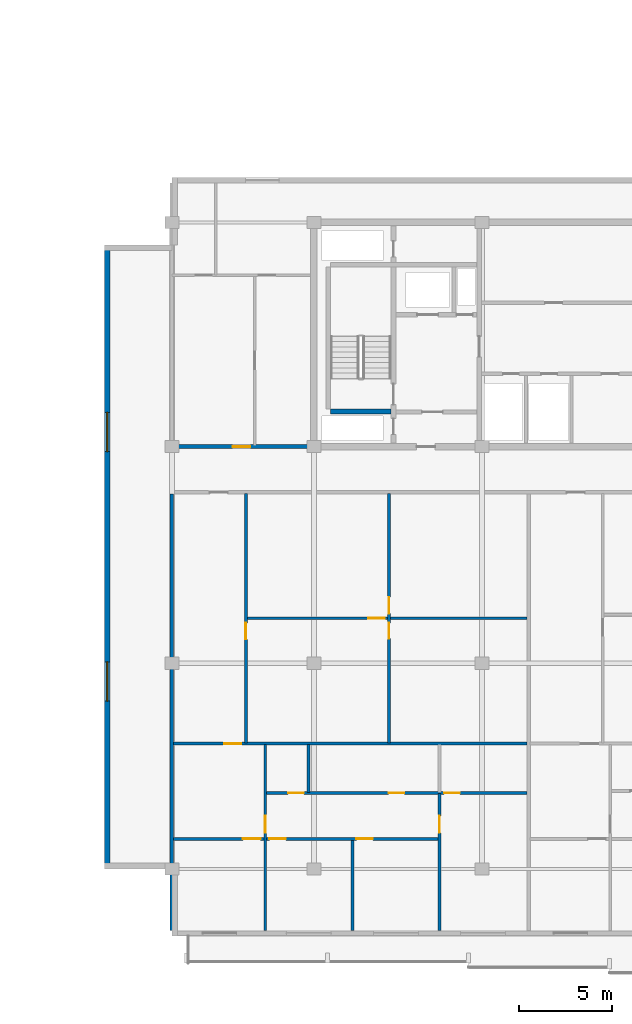
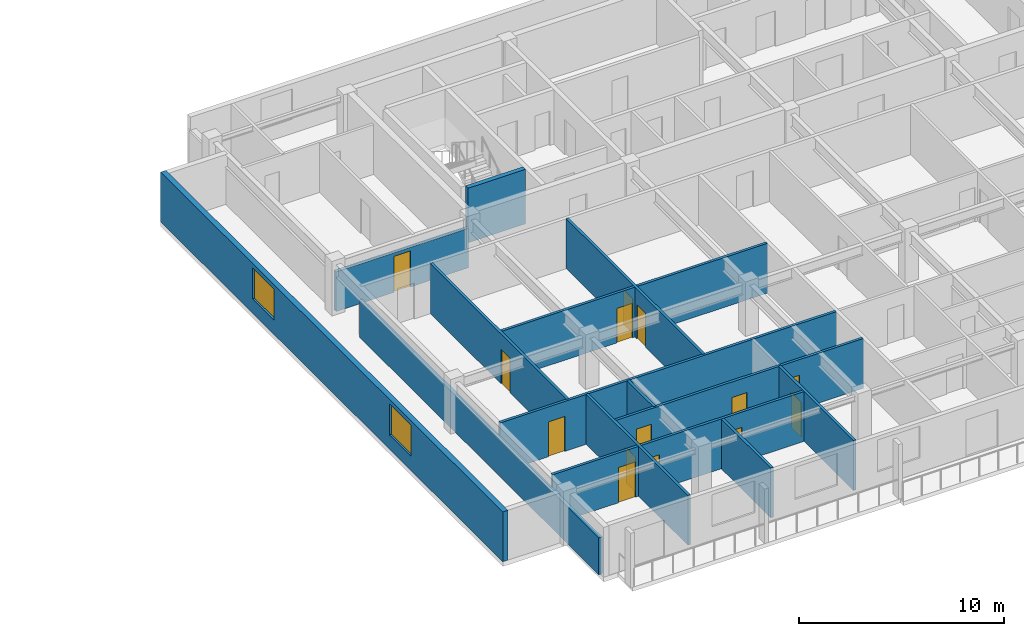
# One storey, part 4 of 23: 14 doors, 14 walls, 2 windows, 16 openings.
"""IFC4 building model written with IfcOpenShell, lengths in metres."""

from ifc_helpers import new_model, si_unit, direction, frame, frame_2d, origin, place, context, subcontext, project, spatial, rectangle, extrude, material, layer, layer_set, type_object, element, fill, save


model = new_model("IFC4")

# Units and contexts
model_context = context("Model", 3, precision=1e-05, world=origin(), true_north=direction((0.0, 1.0)))
body_context = subcontext(model_context, "Body", "Model", "MODEL_VIEW")
ifc_project = project(units=[si_unit("LENGTHUNIT", "METRE"), si_unit("AREAUNIT", "SQUARE_METRE"), si_unit("VOLUMEUNIT", "CUBIC_METRE"), si_unit("PLANEANGLEUNIT", "RADIAN"), si_unit("MASSUNIT", "GRAM", prefix="KILO")], contexts=[model_context])

# Site, building, storey
site_placement = place(None, origin())
site = spatial("IfcSite", under=ifc_project, at=site_placement, CompositionType="ELEMENT")
building_placement = place(site_placement, origin())
building = spatial("IfcBuilding", under=site, at=building_placement, Name="Korimba Cascade Residences", CompositionType="ELEMENT")
storey_placement = place(building_placement, frame((0.0, 0.0, 165.35009765625)))
storey = spatial("IfcBuildingStorey", under=building, at=storey_placement, Name="L47", CompositionType="ELEMENT", Elevation=165.35009765625)

# Wall, openings, windows
ifc_material_1 = material(Name="Precast concrete C40/50", Category="concrete")
ifc_layer_1 = layer(ifc_material_1, 0.300048828125)
ifc_layer_set_1 = layer_set([ifc_layer_1], Name="Precast concrete C40/50")
wall_type_1 = type_object("IfcWallType", Name="EW-STONE-300", PredefinedType="STANDARD", material=ifc_layer_set_1)
wall_1_placement = place(storey_placement, frame((71.050048828125, 29.199951171875, 0.0), z_axis=(0.0, 0.0, 1.0), x_axis=(0.0, -1.0, 0.0)))
wall_1 = element("IfcWall", 1, at=wall_1_placement, inside=storey, type_object=wall_type_1, Name="L47 T2 Perimeter Stone Wall E09", PredefinedType="STANDARD", context=body_context, shape_type="SweptSolid", body=[
    extrude(rectangle(XDim=33.39990234375, YDim=0.300048828125, at=frame_2d((16.699951171875, 0.0))), origin(), (0.0, 0.0, 1.0), 2.969970703125),
])
opening_1_placement = place(wall_1_placement, frame((8.969970703125, 0.0, 0.85009765625)))
opening_1 = element("IfcOpeningElement", 2, at=opening_1_placement, cuts=wall_1, Name="Opening W-03", PredefinedType="OPENING", context=body_context, shape_type="SweptSolid", body=[
    extrude(rectangle(XDim=2.10009765625, YDim=1.85009765625, at=frame_2d((1.050048828125, 0.925048828125))), frame((0.0, 0.16015625, 0.0), z_axis=(0.0, -1.0, 0.0), x_axis=(1.0, 0.0, 0.0)), (0.0, 0.0, 1.0), 0.320068359375),
])
opening_2_placement = place(wall_1_placement, frame((22.330078125, 0.0, 0.85009765625)))
opening_2 = element("IfcOpeningElement", 3, at=opening_2_placement, cuts=wall_1, Name="Opening W-03", PredefinedType="OPENING", context=body_context, shape_type="SweptSolid", body=[
    extrude(rectangle(XDim=2.10009765625, YDim=1.85009765625, at=frame_2d((1.050048828125, 0.925048828125))), frame((0.0, 0.16015625, 0.0), z_axis=(0.0, -1.0, 0.0), x_axis=(1.0, 0.0, 0.0)), (0.0, 0.0, 1.0), 0.320068359375),
])
ifc_material_2 = material(Name="Double-Glazed Aluminium Window", Category="aluminium")
window_type = type_object("IfcWindowType", Name="WIN-CRN-2100", PartitioningType="DOUBLE_PANEL_HORIZONTAL", PredefinedType="WINDOW", material=ifc_material_2)
window_1_placement = place(opening_1_placement, origin())
window_1 = element("IfcWindow", 4, at=window_1_placement, inside=storey, type_object=window_type, Name="L47 T2 End View Window 9.1", OverallHeight=1.85009765625, OverallWidth=2.10009765625, PartitioningType="DOUBLE_PANEL_HORIZONTAL", PredefinedType="WINDOW", context=body_context, shape_type="SweptSolid", body=[
    extrude(rectangle(XDim=2.10009765625, YDim=1.85009765625, at=frame_2d((1.050048828125, 0.925048828125))), frame((0.0, 0.030029296875, 0.0), z_axis=(0.0, -1.0, 0.0), x_axis=(1.0, 0.0, 0.0)), (0.0, 0.0, 1.0), 0.06005859375),
])
fill(opening_1, window_1)
window_2_placement = place(opening_2_placement, origin())
window_2 = element("IfcWindow", 5, at=window_2_placement, inside=storey, type_object=window_type, Name="L47 T2 End View Window 9.2", OverallHeight=1.85009765625, OverallWidth=2.10009765625, PartitioningType="DOUBLE_PANEL_HORIZONTAL", PredefinedType="WINDOW", context=body_context, shape_type="SweptSolid", body=[
    extrude(rectangle(XDim=2.10009765625, YDim=1.85009765625, at=frame_2d((1.050048828125, 0.925048828125))), frame((0.0, 0.030029296875, 0.0), z_axis=(0.0, -1.0, 0.0), x_axis=(1.0, 0.0, 0.0)), (0.0, 0.0, 1.0), 0.06005859375),
])
fill(opening_2, window_2)

# Wall, opening, door
ifc_layer_2 = layer(ifc_material_1, 0.199951171875)
ifc_layer_set_2 = layer_set([ifc_layer_2], Name="Precast concrete C40/50")
wall_type_2 = type_object("IfcWallType", Name="WAL-IT-200", PredefinedType="PARTITIONING", material=ifc_layer_set_2)
wall_2_placement = place(storey_placement, frame((74.5, 18.39990234375, 0.0), z_axis=(0.0, 0.0, 1.0), x_axis=(1.0, 0.0, 0.0)))
wall_2 = element("IfcWall", 6, at=wall_2_placement, inside=storey, type_object=wall_type_2, Name="L47 Partition Wall WAL-L47-T2-FW-S", PredefinedType="PARTITIONING", context=body_context, shape_type="SweptSolid", body=[
    extrude(rectangle(XDim=7.449951171875, YDim=0.199951171875, at=frame_2d((3.72509765625, 0.0))), origin(), (0.0, 0.0, 1.0), 2.357666015625),
])
opening_3_placement = place(wall_2_placement, frame((3.25, 0.0, 0.0)))
opening_3 = element("IfcOpeningElement", 7, at=opening_3_placement, cuts=wall_2, Name="Opening D-UN1", PredefinedType="OPENING", context=body_context, shape_type="SweptSolid", body=[
    extrude(rectangle(XDim=0.949951171875, YDim=2.14990234375, at=frame_2d((0.47509765625, 1.074951171875))), frame((0.0, 0.10986328125, 0.0), z_axis=(0.0, -1.0, 0.0), x_axis=(1.0, 0.0, 0.0)), (0.0, 0.0, 1.0), 0.219970703125),
])
ifc_material_3 = material(Name="Fire-Rated Hardwood Apartment Entrance Door", Category="wood")
door_type_1 = type_object("IfcDoorType", Name="DR-FD60-950", OperationType="NOTDEFINED", PredefinedType="DOOR", material=ifc_material_3)
door_1_placement = place(opening_3_placement, origin())
door_1 = element("IfcDoor", 8, at=door_1_placement, inside=storey, type_object=door_type_1, Name="L47-T2-FW Entrance Door", OperationType="SINGLE_SWING_LEFT", OverallHeight=2.14990234375, OverallWidth=0.949951171875, PredefinedType="DOOR", context=body_context, shape_type="SweptSolid", body=[
    extrude(rectangle(XDim=0.949951171875, YDim=2.14990234375, at=frame_2d((0.47509765625, 1.074951171875))), frame((0.0, 0.02490234375, 0.0), z_axis=(0.0, -1.0, 0.0), x_axis=(1.0, 0.0, 0.0)), (0.0, 0.0, 1.0), 0.050048828125),
])
fill(opening_3, door_1)

# Wall
wall_3_placement = place(storey_placement, frame((74.5, -7.5, 0.0), z_axis=(0.0, 0.0, 1.0), x_axis=(0.0, 1.0, 0.0)))
element("IfcWall", 9, at=wall_3_placement, inside=storey, type_object=wall_type_2, Name="L47 Partition Wall WAL-L47-T2-BNDWL", PredefinedType="PARTITIONING", context=body_context, shape_type="SweptSolid", body=[
    extrude(rectangle(XDim=23.3701171875, YDim=0.199951171875, at=frame_2d((11.68505859375, 0.0))), origin(), (0.0, 0.0, 1.0), 2.2001953125),
])

# Wall, openings, doors
ifc_material_4 = material(Name="Insulated Acoustic Stud Partition", Category="gypsum")
ifc_layer_3 = layer(ifc_material_4, 0.14990234375)
ifc_layer_set_3 = layer_set([ifc_layer_3], Name="Insulated Acoustic Stud Partition")
wall_type_3 = type_object("IfcWallType", Name="WAL-PART-150", PredefinedType="PARTITIONING", material=ifc_layer_set_3)
wall_4_placement = place(storey_placement, frame((86.12451171875, 2.5400390625, 0.0), z_axis=(0.0, 0.0, 1.0), x_axis=(0.0, 1.0, 0.0)))
wall_4 = element("IfcWall", 10, at=wall_4_placement, inside=storey, type_object=wall_type_3, Name="L47 Partition Wall WAL-L47-T2-U01-FMV", PredefinedType="PARTITIONING", context=body_context, shape_type="SweptSolid", body=[
    extrude(rectangle(XDim=13.349853515625, YDim=0.14990234375, at=frame_2d((6.6748046875, 0.0))), origin(), (0.0, 0.0, 1.0), 2.969970703125),
])
opening_4_placement = place(wall_4_placement, frame((5.5849609375, 0.0, 0.0)))
opening_4 = element("IfcOpeningElement", 11, at=opening_4_placement, cuts=wall_4, Name="Opening D-BT1", PredefinedType="OPENING", context=body_context, shape_type="SweptSolid", body=[
    extrude(rectangle(XDim=0.840087890625, YDim=2.0400390625, at=frame_2d((0.419921875, 1.02001953125))), frame((0.0, 0.0849609375, 0.0), z_axis=(0.0, -1.0, 0.0), x_axis=(1.0, 0.0, 0.0)), (0.0, 0.0, 1.0), 0.169921875),
])
opening_5_placement = place(wall_4_placement, frame((6.925048828125, 0.0, 0.0)))
opening_5 = element("IfcOpeningElement", 12, at=opening_5_placement, cuts=wall_4, Name="Opening D-IN2", PredefinedType="OPENING", context=body_context, shape_type="SweptSolid", body=[
    extrude(rectangle(XDim=0.8798828125, YDim=2.06005859375, at=frame_2d((0.43994140625, 1.030029296875))), frame((0.0, 0.0849609375, 0.0), z_axis=(0.0, -1.0, 0.0), x_axis=(1.0, 0.0, 0.0)), (0.0, 0.0, 1.0), 0.169921875),
])
ifc_material_5 = material(Name="Moisture-Resistant Bathroom Timber Door", Category="wood")
door_type_2 = type_object("IfcDoorType", Name="DR-INT-850", OperationType="NOTDEFINED", PredefinedType="DOOR", material=ifc_material_5)
door_2_placement = place(opening_4_placement, origin())
door_2 = element("IfcDoor", 13, at=door_2_placement, inside=storey, type_object=door_type_2, Name="L47-T2-U01 Wardrobe Door", OperationType="SINGLE_SWING_RIGHT", OverallHeight=2.0400390625, OverallWidth=0.840087890625, PredefinedType="DOOR", context=body_context, shape_type="SweptSolid", body=[
    extrude(rectangle(XDim=0.840087890625, YDim=2.0400390625, at=frame_2d((0.419921875, 1.02001953125))), frame((0.0, 0.02490234375, 0.0), z_axis=(0.0, -1.0, 0.0), x_axis=(1.0, 0.0, 0.0)), (0.0, 0.0, 1.0), 0.050048828125),
])
fill(opening_4, door_2)
ifc_material_6 = material(Name="Acoustic Timber Bedroom Door", Category="wood")
door_type_3 = type_object("IfcDoorType", Name="DR-INT-880", OperationType="NOTDEFINED", PredefinedType="DOOR", material=ifc_material_6)
door_3_placement = place(opening_5_placement, origin())
door_3 = element("IfcDoor", 14, at=door_3_placement, inside=storey, type_object=door_type_3, Name="L47-T2-U01 Music Lounge Door", OperationType="SINGLE_SWING_LEFT", OverallHeight=2.06005859375, OverallWidth=0.8798828125, PredefinedType="DOOR", context=body_context, shape_type="SweptSolid", body=[
    extrude(rectangle(XDim=0.8798828125, YDim=2.06005859375, at=frame_2d((0.43994140625, 1.030029296875))), frame((0.0, 0.02490234375, 0.0), z_axis=(0.0, -1.0, 0.0), x_axis=(1.0, 0.0, 0.0)), (0.0, 0.0, 1.0), 0.050048828125),
])
fill(opening_5, door_3)

# Wall, opening, door
wall_5_placement = place(storey_placement, frame((78.530029296875, 9.215087890625, 0.0), z_axis=(0.0, 0.0, 1.0), x_axis=(1.0, 0.0, 0.0)))
wall_5 = element("IfcWall", 15, at=wall_5_placement, inside=storey, type_object=wall_type_3, Name="L47 Partition Wall WAL-L47-T2-U01-FMH", PredefinedType="PARTITIONING", context=body_context, shape_type="SweptSolid", body=[
    extrude(rectangle(XDim=14.9892578125, YDim=0.14990234375, at=frame_2d((7.49462890625, 0.0))), origin(), (0.0, 0.0, 1.0), 2.969970703125),
])
opening_6_placement = place(wall_5_placement, frame((6.49462890625, 0.0, 0.0)))
opening_6 = element("IfcOpeningElement", 16, at=opening_6_placement, cuts=wall_5, Name="Opening D-IN2", PredefinedType="OPENING", context=body_context, shape_type="SweptSolid", body=[
    extrude(rectangle(XDim=0.8798828125, YDim=2.06005859375, at=frame_2d((0.43994140625, 1.030029296875))), frame((0.0, 0.0849609375, 0.0), z_axis=(0.0, -1.0, 0.0), x_axis=(1.0, 0.0, 0.0)), (0.0, 0.0, 1.0), 0.169921875),
])
door_4_placement = place(opening_6_placement, origin())
door_4 = element("IfcDoor", 17, at=door_4_placement, inside=storey, type_object=door_type_3, Name="L47-T2-U01 Library Salon Door", OperationType="SINGLE_SWING_RIGHT", OverallHeight=2.06005859375, OverallWidth=0.8798828125, PredefinedType="DOOR", context=body_context, shape_type="SweptSolid", body=[
    extrude(rectangle(XDim=0.8798828125, YDim=2.06005859375, at=frame_2d((0.43994140625, 1.030029296875))), frame((0.0, 0.02490234375, 0.0), z_axis=(0.0, -1.0, 0.0), x_axis=(1.0, 0.0, 0.0)), (0.0, 0.0, 1.0), 0.050048828125),
])
fill(opening_6, door_4)

wall_6_placement = place(storey_placement, frame((78.469970703125, 2.5400390625, 0.0), z_axis=(0.0, 0.0, 1.0), x_axis=(0.0, 1.0, 0.0)))
wall_6 = element("IfcWall", 18, at=wall_6_placement, inside=storey, type_object=wall_type_3, Name="L47 Partition Wall WAL-L47-T2-U01-FV", PredefinedType="PARTITIONING", context=body_context, shape_type="SweptSolid", body=[
    extrude(rectangle(XDim=13.349853515625, YDim=0.14990234375, at=frame_2d((6.6748046875, 0.0))), origin(), (0.0, 0.0, 1.0), 2.969970703125),
])
opening_7_placement = place(wall_6_placement, frame((5.544921875, 0.0, 0.0)))
opening_7 = element("IfcOpeningElement", 19, at=opening_7_placement, cuts=wall_6, Name="Opening D-IN2", PredefinedType="OPENING", context=body_context, shape_type="SweptSolid", body=[
    extrude(rectangle(XDim=0.8798828125, YDim=2.06005859375, at=frame_2d((0.43994140625, 1.030029296875))), frame((0.0, 0.0849609375, 0.0), z_axis=(0.0, -1.0, 0.0), x_axis=(1.0, 0.0, 0.0)), (0.0, 0.0, 1.0), 0.169921875),
])
door_5_placement = place(opening_7_placement, origin())
door_5 = element("IfcDoor", 20, at=door_5_placement, inside=storey, type_object=door_type_3, Name="L47-T2-U01 Media Lounge Door", OperationType="SINGLE_SWING_LEFT", OverallHeight=2.06005859375, OverallWidth=0.8798828125, PredefinedType="DOOR", context=body_context, shape_type="SweptSolid", body=[
    extrude(rectangle(XDim=0.8798828125, YDim=2.06005859375, at=frame_2d((0.43994140625, 1.030029296875))), frame((0.0, 0.02490234375, 0.0), z_axis=(0.0, -1.0, 0.0), x_axis=(1.0, 0.0, 0.0)), (0.0, 0.0, 1.0), 0.050048828125),
])
fill(opening_7, door_5)

# Walls
wall_7_placement = place(storey_placement, frame((81.81005859375, -0.1201171875, 0.0), z_axis=(0.0, 0.0, 1.0), x_axis=(0.0, 1.0, 0.0)))
element("IfcWall", 21, at=wall_7_placement, inside=storey, type_object=wall_type_3, Name="L47 Partition Wall WAL-L47-T2-U01-VDRS", PredefinedType="PARTITIONING", context=body_context, shape_type="SweptSolid", body=[
    extrude(rectangle(XDim=2.580078125, YDim=0.14990234375, at=frame_2d((1.2900390625, 0.0))), origin(), (0.0, 0.0, 1.0), 2.969970703125),
])
wall_8_placement = place(storey_placement, frame((84.16455078125, -7.5, 0.0), z_axis=(0.0, 0.0, 1.0), x_axis=(0.0, 1.0, 0.0)))
element("IfcWall", 22, at=wall_8_placement, inside=storey, type_object=wall_type_3, Name="L47 Partition Wall WAL-L47-T2-U01-VB3", PredefinedType="PARTITIONING", context=body_context, shape_type="SweptSolid", body=[
    extrude(rectangle(XDim=4.820068359375, YDim=0.14990234375, at=frame_2d((2.41015625, 0.0))), origin(), (0.0, 0.0, 1.0), 2.969970703125),
])

# Wall, opening, door
wall_9_placement = place(storey_placement, frame((79.5, -7.5, 0.0), z_axis=(0.0, 0.0, 1.0), x_axis=(0.0, 1.0, 0.0)))
wall_9 = element("IfcWall", 23, at=wall_9_placement, inside=storey, type_object=wall_type_3, Name="L47 Partition Wall WAL-L47-T2-U01-V1", PredefinedType="PARTITIONING", context=body_context, shape_type="SweptSolid", body=[
    extrude(rectangle(XDim=9.9599609375, YDim=0.14990234375, at=frame_2d((4.97998046875, 0.0))), origin(), (0.0, 0.0, 1.0), 2.969970703125),
])
opening_8_placement = place(wall_9_placement, frame((5.219970703125, 0.0, 0.0)))
opening_8 = element("IfcOpeningElement", 24, at=opening_8_placement, cuts=wall_9, Name="Opening D-IN1", PredefinedType="OPENING", context=body_context, shape_type="SweptSolid", body=[
    extrude(rectangle(XDim=0.919921875, YDim=2.080078125, at=frame_2d((0.4599609375, 1.0400390625))), frame((0.0, 0.0849609375, 0.0), z_axis=(0.0, -1.0, 0.0), x_axis=(1.0, 0.0, 0.0)), (0.0, 0.0, 1.0), 0.169921875),
])
ifc_material_7 = material(Name="Acoustic Timber Living Door", Category="wood")
door_type_4 = type_object("IfcDoorType", Name="DR-INT-920", OperationType="NOTDEFINED", PredefinedType="DOOR", material=ifc_material_7)
door_6_placement = place(opening_8_placement, origin())
door_6 = element("IfcDoor", 25, at=door_6_placement, inside=storey, type_object=door_type_4, Name="L47-T2-U01 Hallway Door", OperationType="SINGLE_SWING_RIGHT", OverallHeight=2.080078125, OverallWidth=0.919921875, PredefinedType="DOOR", context=body_context, shape_type="SweptSolid", body=[
    extrude(rectangle(XDim=0.919921875, YDim=2.080078125, at=frame_2d((0.4599609375, 1.0400390625))), frame((0.0, 0.02490234375, 0.0), z_axis=(0.0, -1.0, 0.0), x_axis=(1.0, 0.0, 0.0)), (0.0, 0.0, 1.0), 0.050048828125),
])
fill(opening_8, door_6)

wall_10_placement = place(storey_placement, frame((88.8291015625, -7.5, 0.0), z_axis=(0.0, 0.0, 1.0), x_axis=(0.0, 1.0, 0.0)))
wall_10 = element("IfcWall", 26, at=wall_10_placement, inside=storey, type_object=wall_type_3, Name="L47 Partition Wall WAL-L47-T2-U01-V2FULL", PredefinedType="PARTITIONING", context=body_context, shape_type="SweptSolid", body=[
    extrude(rectangle(XDim=7.340087890625, YDim=0.14990234375, at=frame_2d((3.669921875, 0.0))), origin(), (0.0, 0.0, 1.0), 2.969970703125),
])
opening_9_placement = place(wall_10_placement, frame((5.219970703125, 0.0, 0.0)))
opening_9 = element("IfcOpeningElement", 27, at=opening_9_placement, cuts=wall_10, Name="Opening D-IN1", PredefinedType="OPENING", context=body_context, shape_type="SweptSolid", body=[
    extrude(rectangle(XDim=0.919921875, YDim=2.080078125, at=frame_2d((0.4599609375, 1.0400390625))), frame((0.0, 0.0849609375, 0.0), z_axis=(0.0, -1.0, 0.0), x_axis=(1.0, 0.0, 0.0)), (0.0, 0.0, 1.0), 0.169921875),
])
door_7_placement = place(opening_9_placement, origin())
door_7 = element("IfcDoor", 28, at=door_7_placement, inside=storey, type_object=door_type_4, Name="L47-T2-U01 Master Bedroom Door", OperationType="SINGLE_SWING_LEFT", OverallHeight=2.080078125, OverallWidth=0.919921875, PredefinedType="DOOR", context=body_context, shape_type="SweptSolid", body=[
    extrude(rectangle(XDim=0.919921875, YDim=2.080078125, at=frame_2d((0.4599609375, 1.0400390625))), frame((0.0, 0.02490234375, 0.0), z_axis=(0.0, -1.0, 0.0), x_axis=(1.0, 0.0, 0.0)), (0.0, 0.0, 1.0), 0.050048828125),
])
fill(opening_9, door_7)

# Wall, openings, doors
wall_11_placement = place(storey_placement, frame((79.5400390625, -0.139892578125, 0.0), z_axis=(0.0, 0.0, 1.0), x_axis=(1.0, 0.0, 0.0)))
wall_11 = element("IfcWall", 29, at=wall_11_placement, inside=storey, type_object=wall_type_3, Name="L47 Partition Wall WAL-L47-T2-U01-HWALL", PredefinedType="PARTITIONING", context=body_context, shape_type="SweptSolid", body=[
    extrude(rectangle(XDim=13.979248046875, YDim=0.14990234375, at=frame_2d((6.98974609375, 0.0))), origin(), (0.0, 0.0, 1.0), 2.969970703125),
])
opening_10_placement = place(wall_11_placement, frame((1.19091796875, 0.0, 0.0)))
opening_10 = element("IfcOpeningElement", 30, at=opening_10_placement, cuts=wall_11, Name="Opening D-BT1", PredefinedType="OPENING", context=body_context, shape_type="SweptSolid", body=[
    extrude(rectangle(XDim=0.840087890625, YDim=2.0400390625, at=frame_2d((0.419921875, 1.02001953125))), frame((0.0, 0.0849609375, 0.0), z_axis=(0.0, -1.0, 0.0), x_axis=(1.0, 0.0, 0.0)), (0.0, 0.0, 1.0), 0.169921875),
])
opening_11_placement = place(wall_11_placement, frame((6.569580078125, 0.0, 0.0)))
opening_11 = element("IfcOpeningElement", 31, at=opening_11_placement, cuts=wall_11, Name="Opening D-BT1", PredefinedType="OPENING", context=body_context, shape_type="SweptSolid", body=[
    extrude(rectangle(XDim=0.840087890625, YDim=2.0400390625, at=frame_2d((0.419921875, 1.02001953125))), frame((0.0, 0.0849609375, 0.0), z_axis=(0.0, -1.0, 0.0), x_axis=(1.0, 0.0, 0.0)), (0.0, 0.0, 1.0), 0.169921875),
])
opening_12_placement = place(wall_11_placement, frame((9.539306640625, 0.0, 0.0)))
opening_12 = element("IfcOpeningElement", 32, at=opening_12_placement, cuts=wall_11, Name="Opening D-BT1", PredefinedType="OPENING", context=body_context, shape_type="SweptSolid", body=[
    extrude(rectangle(XDim=0.840087890625, YDim=2.0400390625, at=frame_2d((0.419921875, 1.02001953125))), frame((0.0, 0.0849609375, 0.0), z_axis=(0.0, -1.0, 0.0), x_axis=(1.0, 0.0, 0.0)), (0.0, 0.0, 1.0), 0.169921875),
])
door_8_placement = place(opening_10_placement, origin())
door_8 = element("IfcDoor", 33, at=door_8_placement, inside=storey, type_object=door_type_2, Name="L47-T2-U01 Family Bathroom Door", OperationType="SINGLE_SWING_RIGHT", OverallHeight=2.0400390625, OverallWidth=0.840087890625, PredefinedType="DOOR", context=body_context, shape_type="SweptSolid", body=[
    extrude(rectangle(XDim=0.840087890625, YDim=2.0400390625, at=frame_2d((0.419921875, 1.02001953125))), frame((0.0, 0.02490234375, 0.0), z_axis=(0.0, -1.0, 0.0), x_axis=(1.0, 0.0, 0.0)), (0.0, 0.0, 1.0), 0.050048828125),
])
fill(opening_10, door_8)
door_9_placement = place(opening_11_placement, origin())
door_9 = element("IfcDoor", 34, at=door_9_placement, inside=storey, type_object=door_type_2, Name="L47-T2-U01 Dressing Room Door", OperationType="SINGLE_SWING_LEFT", OverallHeight=2.0400390625, OverallWidth=0.840087890625, PredefinedType="DOOR", context=body_context, shape_type="SweptSolid", body=[
    extrude(rectangle(XDim=0.840087890625, YDim=2.0400390625, at=frame_2d((0.419921875, 1.02001953125))), frame((0.0, 0.02490234375, 0.0), z_axis=(0.0, -1.0, 0.0), x_axis=(1.0, 0.0, 0.0)), (0.0, 0.0, 1.0), 0.050048828125),
])
fill(opening_11, door_9)
door_10_placement = place(opening_12_placement, origin())
door_10 = element("IfcDoor", 35, at=door_10_placement, inside=storey, type_object=door_type_2, Name="L47-T2-U01 En-Suite Door", OperationType="SINGLE_SWING_RIGHT", OverallHeight=2.0400390625, OverallWidth=0.840087890625, PredefinedType="DOOR", context=body_context, shape_type="SweptSolid", body=[
    extrude(rectangle(XDim=0.840087890625, YDim=2.0400390625, at=frame_2d((0.419921875, 1.02001953125))), frame((0.0, 0.02490234375, 0.0), z_axis=(0.0, -1.0, 0.0), x_axis=(1.0, 0.0, 0.0)), (0.0, 0.0, 1.0), 0.050048828125),
])
fill(opening_12, door_10)

# Wall, opening, door
wall_12_placement = place(storey_placement, frame((74.580078125, 2.5, 0.0), z_axis=(0.0, 0.0, 1.0), x_axis=(1.0, 0.0, 0.0)))
wall_12 = element("IfcWall", 36, at=wall_12_placement, inside=storey, type_object=wall_type_3, Name="L47 Partition Wall WAL-L47-T2-U01-MW", PredefinedType="PARTITIONING", context=body_context, shape_type="SweptSolid", body=[
    extrude(rectangle(XDim=18.939208984375, YDim=0.14990234375, at=frame_2d((9.4697265625, 0.0))), origin(), (0.0, 0.0, 1.0), 2.969970703125),
])
opening_13_placement = place(wall_12_placement, frame((2.719970703125, 0.0, 0.0)))
opening_13 = element("IfcOpeningElement", 37, at=opening_13_placement, cuts=wall_12, Name="Opening D-IN1", PredefinedType="OPENING", context=body_context, shape_type="SweptSolid", body=[
    extrude(rectangle(XDim=0.919921875, YDim=2.080078125, at=frame_2d((0.4599609375, 1.0400390625))), frame((0.0, 0.0849609375, 0.0), z_axis=(0.0, -1.0, 0.0), x_axis=(1.0, 0.0, 0.0)), (0.0, 0.0, 1.0), 0.169921875),
])
door_11_placement = place(opening_13_placement, origin())
door_11 = element("IfcDoor", 38, at=door_11_placement, inside=storey, type_object=door_type_4, Name="L47-T2-U01 Kitchen Door", OperationType="SINGLE_SWING_LEFT", OverallHeight=2.080078125, OverallWidth=0.919921875, PredefinedType="DOOR", context=body_context, shape_type="SweptSolid", body=[
    extrude(rectangle(XDim=0.919921875, YDim=2.080078125, at=frame_2d((0.4599609375, 1.0400390625))), frame((0.0, 0.02490234375, 0.0), z_axis=(0.0, -1.0, 0.0), x_axis=(1.0, 0.0, 0.0)), (0.0, 0.0, 1.0), 0.050048828125),
])
fill(opening_13, door_11)

# Wall, openings, doors
wall_13_placement = place(storey_placement, frame((74.580078125, -2.60009765625, 0.0), z_axis=(0.0, 0.0, 1.0), x_axis=(1.0, 0.0, 0.0)))
wall_13 = element("IfcWall", 39, at=wall_13_placement, inside=storey, type_object=wall_type_3, Name="L47 Partition Wall WAL-L47-T2-U01-HZ", PredefinedType="PARTITIONING", context=body_context, shape_type="SweptSolid", body=[
    extrude(rectangle(XDim=14.2490234375, YDim=0.14990234375, at=frame_2d((7.12451171875, 0.0))), origin(), (0.0, 0.0, 1.0), 2.969970703125),
])
opening_14_placement = place(wall_13_placement, frame((3.72998046875, 0.0, 0.0)))
opening_14 = element("IfcOpeningElement", 40, at=opening_14_placement, cuts=wall_13, Name="Opening D-IN0", PredefinedType="OPENING", context=body_context, shape_type="SweptSolid", body=[
    extrude(rectangle(XDim=0.93994140625, YDim=2.10009765625, at=frame_2d((0.469970703125, 1.050048828125))), frame((0.0, 0.0849609375, 0.0), z_axis=(0.0, -1.0, 0.0), x_axis=(1.0, 0.0, 0.0)), (0.0, 0.0, 1.0), 0.169921875),
])
opening_15_placement = place(wall_13_placement, frame((5.139892578125, 0.0, 0.0)))
opening_15 = element("IfcOpeningElement", 41, at=opening_15_placement, cuts=wall_13, Name="Opening D-IN2", PredefinedType="OPENING", context=body_context, shape_type="SweptSolid", body=[
    extrude(rectangle(XDim=0.8798828125, YDim=2.06005859375, at=frame_2d((0.43994140625, 1.030029296875))), frame((0.0, 0.0849609375, 0.0), z_axis=(0.0, -1.0, 0.0), x_axis=(1.0, 0.0, 0.0)), (0.0, 0.0, 1.0), 0.169921875),
])
opening_16_placement = place(wall_13_placement, frame((9.8046875, 0.0, 0.0)))
opening_16 = element("IfcOpeningElement", 42, at=opening_16_placement, cuts=wall_13, Name="Opening D-IN2", PredefinedType="OPENING", context=body_context, shape_type="SweptSolid", body=[
    extrude(rectangle(XDim=0.8798828125, YDim=2.06005859375, at=frame_2d((0.43994140625, 1.030029296875))), frame((0.0, 0.0849609375, 0.0), z_axis=(0.0, -1.0, 0.0), x_axis=(1.0, 0.0, 0.0)), (0.0, 0.0, 1.0), 0.169921875),
])
door_12_placement = place(opening_15_placement, origin())
door_12 = element("IfcDoor", 43, at=door_12_placement, inside=storey, type_object=door_type_3, Name="L47-T2-U01 Bedroom 2 Door", OperationType="SINGLE_SWING_LEFT", OverallHeight=2.06005859375, OverallWidth=0.8798828125, PredefinedType="DOOR", context=body_context, shape_type="SweptSolid", body=[
    extrude(rectangle(XDim=0.8798828125, YDim=2.06005859375, at=frame_2d((0.43994140625, 1.030029296875))), frame((0.0, 0.02490234375, 0.0), z_axis=(0.0, -1.0, 0.0), x_axis=(1.0, 0.0, 0.0)), (0.0, 0.0, 1.0), 0.050048828125),
])
fill(opening_15, door_12)
door_13_placement = place(opening_16_placement, origin())
door_13 = element("IfcDoor", 44, at=door_13_placement, inside=storey, type_object=door_type_3, Name="L47-T2-U01 Bedroom 3 Door", OperationType="SINGLE_SWING_RIGHT", OverallHeight=2.06005859375, OverallWidth=0.8798828125, PredefinedType="DOOR", context=body_context, shape_type="SweptSolid", body=[
    extrude(rectangle(XDim=0.8798828125, YDim=2.06005859375, at=frame_2d((0.43994140625, 1.030029296875))), frame((0.0, 0.02490234375, 0.0), z_axis=(0.0, -1.0, 0.0), x_axis=(1.0, 0.0, 0.0)), (0.0, 0.0, 1.0), 0.050048828125),
])
fill(opening_16, door_13)
ifc_material_8 = material(Name="Acoustic Timber Living Archway Door", Category="wood")
door_type_5 = type_object("IfcDoorType", Name="DR-INT-950", OperationType="NOTDEFINED", PredefinedType="DOOR", material=ifc_material_8)
door_14_placement = place(opening_14_placement, origin())
door_14 = element("IfcDoor", 45, at=door_14_placement, inside=storey, type_object=door_type_5, Name="L47-T2-U01 Living Room Door", OperationType="SINGLE_SWING_RIGHT", OverallHeight=2.10009765625, OverallWidth=0.93994140625, PredefinedType="DOOR", context=body_context, shape_type="SweptSolid", body=[
    extrude(rectangle(XDim=0.93994140625, YDim=2.10009765625, at=frame_2d((0.469970703125, 1.050048828125))), frame((0.0, 0.02490234375, 0.0), z_axis=(0.0, -1.0, 0.0), x_axis=(1.0, 0.0, 0.0)), (0.0, 0.0, 1.0), 0.050048828125),
])
fill(opening_14, door_14)

# Wall
ifc_material_9 = material(Name="Concrete C50/60", Category="concrete")
ifc_layer_4 = layer(ifc_material_9, 0.25)
ifc_layer_set_4 = layer_set([ifc_layer_4], Name="Concrete C50/60")
wall_type_4 = type_object("IfcWallType", Name="WAL-SHAFT-250", PredefinedType="SHEAR", material=ifc_layer_set_4)
wall_14_placement = place(storey_placement, frame((83.0, 20.27490234375, 0.0), z_axis=(0.0, 0.0, 1.0), x_axis=(1.0, 0.0, 0.0)))
element("IfcWall", 46, at=wall_14_placement, inside=storey, type_object=wall_type_4, Name="L47 Core Shear Wall CW-L47-T2-STE1S", PredefinedType="SHEAR", context=body_context, shape_type="SweptSolid", body=[
    extrude(rectangle(XDim=3.239990234375, YDim=0.25, at=frame_2d((1.6201171875, 0.0))), origin(), (0.0, 0.0, 1.0), 3.25),
])

save(model, "model.ifc")
